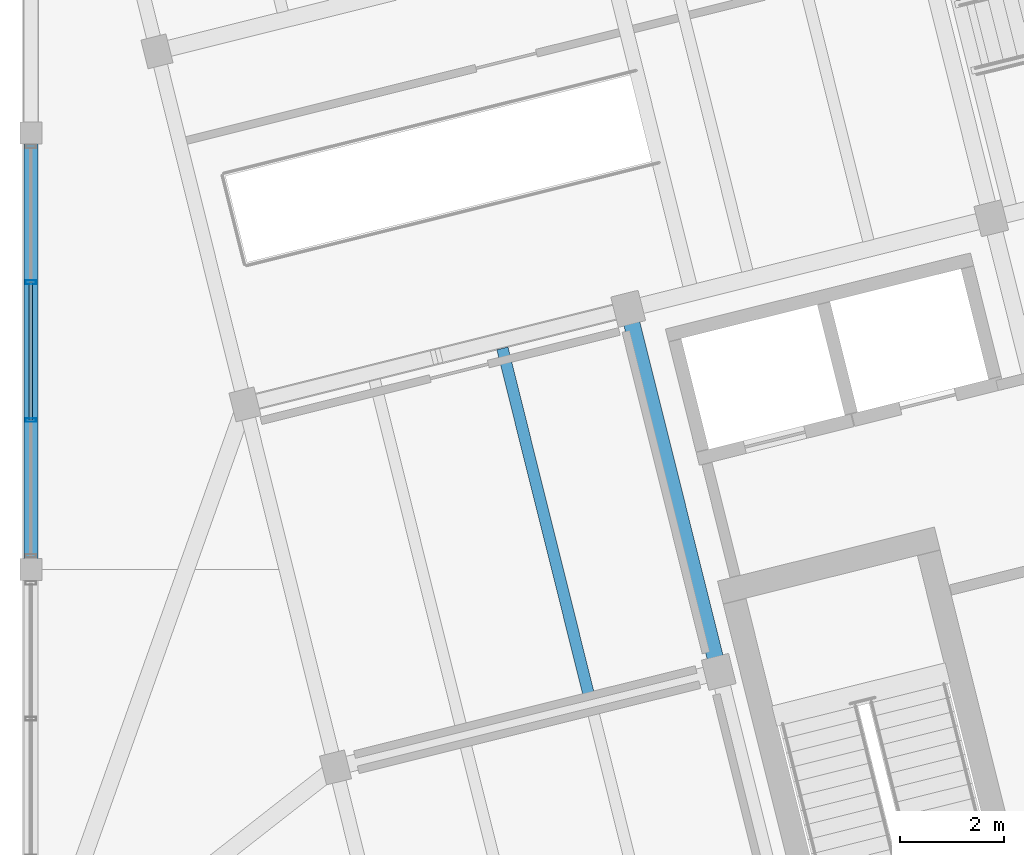
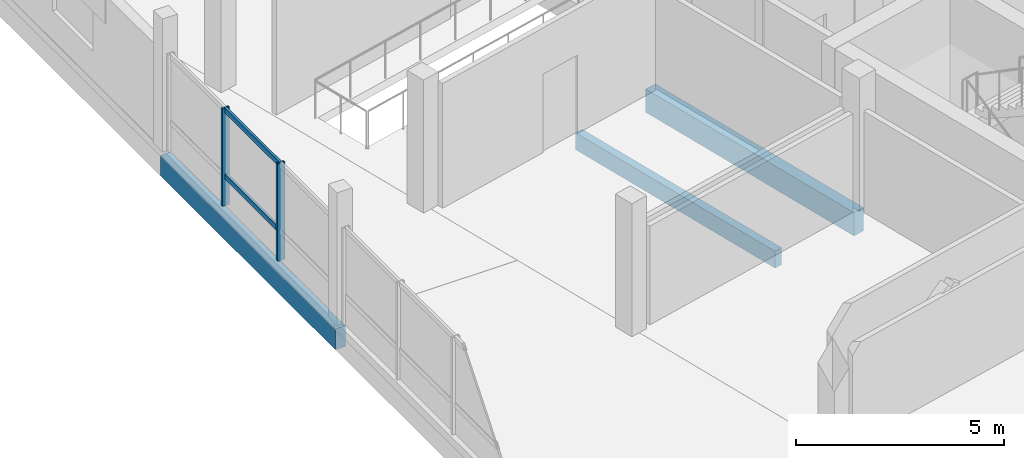
# One storey, part 20 of 47: 4 members, 3 beams, 1 element without a shape of its own.
"""IFC4 building model written with IfcOpenShell, lengths in metres."""

from ifc_helpers import new_model, si_unit, direction, frame, origin, origin_2d, place, context, subcontext, project, spatial, rectangle, hollow_rectangle, extrude, material, layer, layer_set, material_profile, profile_set, type_object, element, aggregate, save


model = new_model("IFC4")

# Units and contexts
model_context = context("Model", 3, precision=1e-05, world=origin(), true_north=direction((0.0, 1.0)))
body_context = subcontext(model_context, "Body", "Model", "MODEL_VIEW")
ifc_project = project(units=[si_unit("LENGTHUNIT", "METRE"), si_unit("AREAUNIT", "SQUARE_METRE"), si_unit("VOLUMEUNIT", "CUBIC_METRE"), si_unit("PLANEANGLEUNIT", "RADIAN"), si_unit("MASSUNIT", "GRAM", prefix="KILO")], contexts=[model_context])

# Site, building, storey
site_placement = place(None, origin())
site = spatial("IfcSite", under=ifc_project, at=site_placement, CompositionType="ELEMENT")
building_placement = place(site_placement, origin())
building = spatial("IfcBuilding", under=site, at=building_placement, Name="Meriwether Solvik Hall", CompositionType="ELEMENT")
storey_placement = place(building_placement, frame((0.0, 0.0, 18.300048828125)))
storey = spatial("IfcBuildingStorey", under=building, at=storey_placement, Name="L04", CompositionType="ELEMENT", Elevation=18.300048828125)

# Beams
ifc_material_1 = material(Name="Glulam Douglas-Fir 24F-V8 GL28h", Category="wood")
ifc_material_profile_1 = material_profile(ifc_material_1, rectangle(XDim=0.27294921875, YDim=0.610107421875, at=origin_2d()), Name="GLB-273X610")
ifc_profile_set_1 = profile_set([ifc_material_profile_1], Name="Glulam Douglas-Fir 24F-V8 GL28h")
beam_type_1 = type_object("IfcBeamType", Name="BM-GL-273X610", PredefinedType="SPANDREL", material=ifc_profile_set_1)
beam_1_placement = place(storey_placement, frame((59.39990234375, 58.39990234375, -0.550048828125), z_axis=(0.0, 1.0, 0.0), x_axis=(-1.0, 0.0, 0.0)))
element("IfcBeam", 1, at=beam_1_placement, inside=storey, type_object=beam_type_1, Name="Podium Girder 7:G-H (L04)", PredefinedType="SPANDREL", context=body_context, shape_type="SweptSolid", body=[
    extrude(rectangle(XDim=0.27294921875, YDim=0.610107421875, at=origin_2d()), origin(), (0.0, 0.0, 1.0), 8.400146484375),
])
ifc_material_2 = material(Name="Glulam Douglas-Fir 24F-V8 GL28h", Category="wood")
ifc_material_profile_2 = material_profile(ifc_material_2, rectangle(XDim=0.31494140625, YDim=0.68505859375, at=origin_2d()), Name="GLB-315X685")
ifc_profile_set_2 = profile_set([ifc_material_profile_2], Name="Glulam Douglas-Fir 24F-V8 GL28h")
beam_type_2 = type_object("IfcBeamType", Name="BM-GL-315X685", PredefinedType="BEAM", material=ifc_profile_set_2)
beam_2_placement = place(storey_placement, frame((72.6357421875, 56.4287109375, -0.587646484375), z_axis=(-0.241937193493, 0.970291911955, 0.0), x_axis=(-0.970291911955, -0.241937193493, 0.0)))
element("IfcBeam", 2, at=beam_2_placement, inside=storey, type_object=beam_type_2, Name="Tower Girder T2:TC-TD (L04)", PredefinedType="BEAM", context=body_context, shape_type="SweptSolid", body=[
    extrude(rectangle(XDim=0.31494140625, YDim=0.68505859375, at=origin_2d()), origin(), (0.0, 0.0, 1.0), 7.199951171875),
])

# Curtain wall, members
ifc_material_3 = material(Name="Thermally Broken Anodised Aluminium 6063-T6 and Low-E Glass", Category="aluminium")
ifc_layer = layer(ifc_material_3, 0.179931640625)
ifc_layer_set = layer_set([ifc_layer], Name="Thermally Broken Anodised Aluminium 6063-T6 and Low-E Glass")
curtain_wall_type = type_object("IfcCurtainWallType", Name="CW-UNIT-E", PredefinedType="USERDEFINED", material=ifc_layer_set)
curtain_wall_placement = place(storey_placement, origin())
curtain_wall = element("IfcCurtainWall", 3, at=curtain_wall_placement, inside=storey, type_object=curtain_wall_type, Name="Curtain Wall wing_Y7_7_18 (L04)", ObjectType="UNITISED CURTAIN WALL", PredefinedType="USERDEFINED")
ifc_material_4 = material(Name="Anodised Aluminium 6063-T6", Category="aluminium")
ifc_material_profile_3 = material_profile(ifc_material_4, hollow_rectangle(XDim=0.070068359375, YDim=0.199951171875, WallThickness=0.0048828125, at=origin_2d()), Name="CWM-70X200")
ifc_profile_set_3 = profile_set([ifc_material_profile_3], Name="Anodised Aluminium 6063-T6")
member_type_1 = type_object("IfcMemberType", Name="CW-MUL-70X200", PredefinedType="MULLION", material=ifc_profile_set_3)
member_1_placement = place(storey_placement, frame((59.39990234375, 61.27392578125, 0.0), z_axis=(0.0, 0.0, 1.0), x_axis=(0.0, 1.0, 0.0)))
member_1 = element("IfcMember", 4, at=member_1_placement, type_object=member_type_1, Name="Curtain Wall Mullion 2", PredefinedType="MULLION", context=body_context, shape_type="SweptSolid", body=[
    extrude(hollow_rectangle(XDim=0.070068359375, YDim=0.199951171875, WallThickness=0.0048828125, at=origin_2d()), origin(), (0.0, 0.0, 1.0), 2.85498046875),
])
member_2_placement = place(storey_placement, frame((59.39990234375, 63.926025390625, 0.0), z_axis=(0.0, 0.0, 1.0), x_axis=(0.0, 1.0, 0.0)))
member_2 = element("IfcMember", 5, at=member_2_placement, type_object=member_type_1, Name="Curtain Wall Mullion 3", PredefinedType="MULLION", context=body_context, shape_type="SweptSolid", body=[
    extrude(hollow_rectangle(XDim=0.070068359375, YDim=0.199951171875, WallThickness=0.0048828125, at=origin_2d()), origin(), (0.0, 0.0, 1.0), 2.85498046875),
])
ifc_material_5 = material(Name="Anodised Aluminium 6063-T6", Category="aluminium")
ifc_material_profile_4 = material_profile(ifc_material_5, hollow_rectangle(XDim=0.070068359375, YDim=0.14990234375, WallThickness=0.0048828125, at=origin_2d()), Name="CWT-70X150")
ifc_profile_set_4 = profile_set([ifc_material_profile_4], Name="Anodised Aluminium 6063-T6")
member_type_2 = type_object("IfcMemberType", Name="CW-TRN-70X150", PredefinedType="USERDEFINED", material=ifc_profile_set_4)
member_3_placement = place(storey_placement, frame((59.39990234375, 61.27392578125, 0.8564453125), z_axis=(0.0, 1.0, 0.0), x_axis=(-1.0, 0.0, 0.0)))
member_3 = element("IfcMember", 6, at=member_3_placement, type_object=member_type_2, Name="Curtain Wall Transom 2-sill", ObjectType="TRANSOM", PredefinedType="USERDEFINED", context=body_context, shape_type="SweptSolid", body=[
    extrude(hollow_rectangle(XDim=0.070068359375, YDim=0.14990234375, WallThickness=0.0048828125, at=origin_2d()), origin(), (0.0, 0.0, 1.0), 2.652099609375),
])
member_4_placement = place(storey_placement, frame((59.39990234375, 61.27392578125, 2.794921875), z_axis=(0.0, 1.0, 0.0), x_axis=(-1.0, 0.0, 0.0)))
member_4 = element("IfcMember", 7, at=member_4_placement, type_object=member_type_2, Name="Curtain Wall Transom 2-head", ObjectType="TRANSOM", PredefinedType="USERDEFINED", context=body_context, shape_type="SweptSolid", body=[
    extrude(hollow_rectangle(XDim=0.070068359375, YDim=0.14990234375, WallThickness=0.0048828125, at=origin_2d()), origin(), (0.0, 0.0, 1.0), 2.652099609375),
])
aggregate(curtain_wall, [member_1, member_2, member_3, member_4])

# Beam
ifc_material_6 = material(Name="Glulam Douglas-Fir 24F-V8 GL28h", Category="wood")
ifc_material_profile_5 = material_profile(ifc_material_6, rectangle(XDim=0.221923828125, YDim=0.4951171875, at=origin_2d()), Name="GLJ-222X495")
ifc_profile_set_5 = profile_set([ifc_material_profile_5], Name="Glulam Douglas-Fir 24F-V8 GL28h")
beam_type_3 = type_object("IfcBeamType", Name="JST-GL-222X495", PredefinedType="JOIST", material=ifc_profile_set_5)
beam_3_placement = place(storey_placement, frame((70.140869140625, 55.9638671875, -0.492431640625), z_axis=(-0.241944055158, 0.970290201009, 0.0), x_axis=(-0.970290201009, -0.241944055158, 0.0)))
element("IfcBeam", 8, at=beam_3_placement, inside=storey, type_object=beam_type_3, Name="Glulam Floor Joist T1/TC-J2 (L04)", PredefinedType="JOIST", context=body_context, shape_type="SweptSolid", body=[
    extrude(rectangle(XDim=0.221923828125, YDim=0.4951171875, at=origin_2d()), origin(), (0.0, 0.0, 1.0), 6.89501953125),
])

save(model, "model.ifc")
